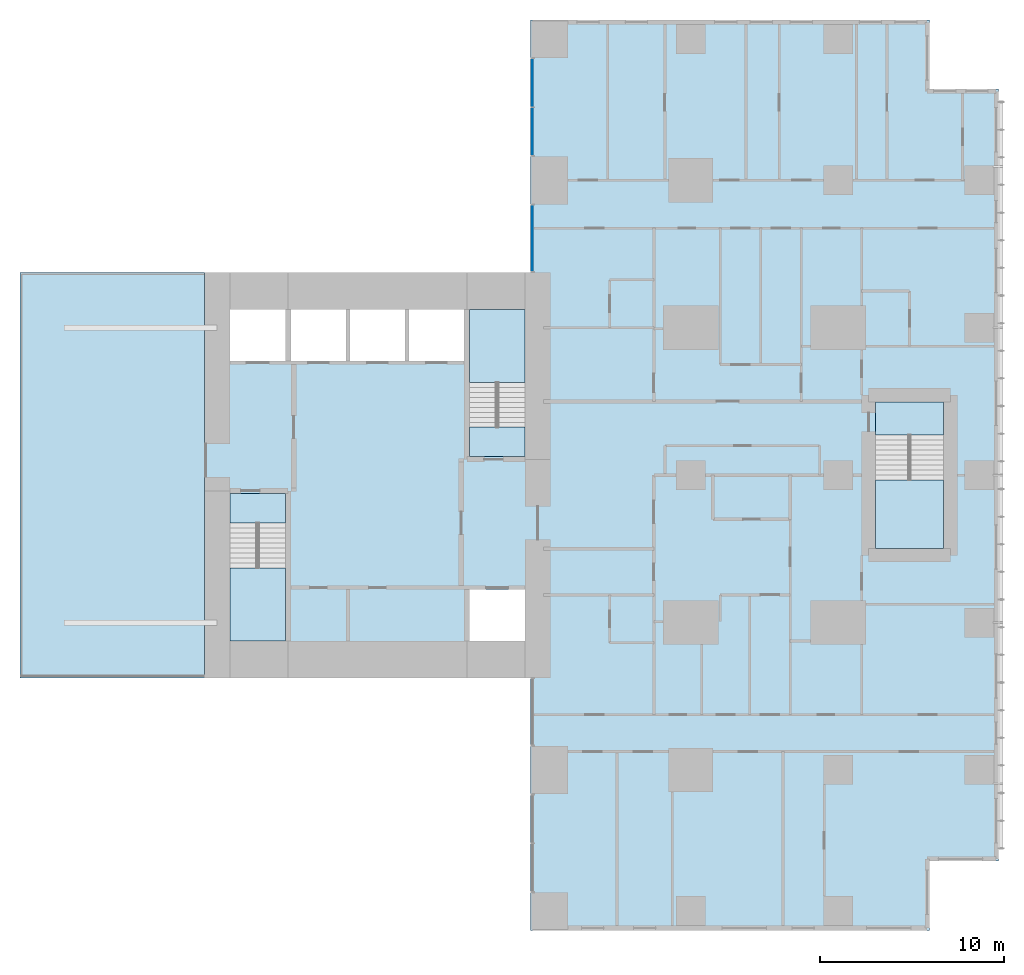
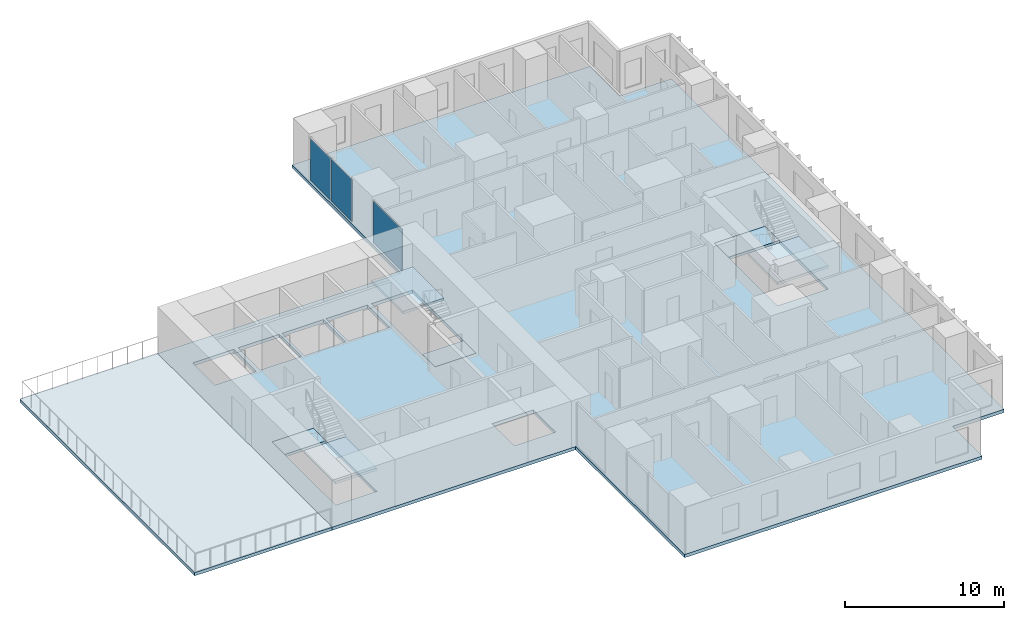
# One storey, part 6 of 14: 8 slabs, 3 plates, 5 elements without a shape of their own.
"""IFC4 building model written with IfcOpenShell, lengths in metres."""

from ifc_helpers import new_model, si_unit, direction, frame, origin, origin_2d, place, context, subcontext, project, spatial, polyline, rectangle, outline, extrude, material, layer, layer_set, type_object, element, aggregate, save


model = new_model("IFC4")

# Units and contexts
model_context = context("Model", 3, precision=1e-05, world=origin(), true_north=direction((0.0, 1.0)))
body_context = subcontext(model_context, "Body", "Model", "MODEL_VIEW")
ifc_project = project(units=[si_unit("LENGTHUNIT", "METRE"), si_unit("AREAUNIT", "SQUARE_METRE"), si_unit("VOLUMEUNIT", "CUBIC_METRE"), si_unit("PLANEANGLEUNIT", "RADIAN"), si_unit("MASSUNIT", "GRAM", prefix="KILO")], contexts=[model_context])

# Site, building, storey
site_placement = place(None, origin())
site = spatial("IfcSite", under=ifc_project, at=site_placement, CompositionType="ELEMENT")
building_placement = place(site_placement, origin())
building = spatial("IfcBuilding", under=site, at=building_placement, Name="Cleftline Residences", CompositionType="ELEMENT")
storey_placement = place(building_placement, frame((0.0, 0.0, 230.39990234375)))
storey = spatial("IfcBuildingStorey", under=building, at=storey_placement, Name="L60", CompositionType="ELEMENT", Elevation=230.39990234375)

# Curtain wall, plates
ifc_material_1 = material(Name="Aluminium framed curtain wall", Category="aluminium")
ifc_layer_1 = layer(ifc_material_1, 0.199951171875)
ifc_layer_set_1 = layer_set([ifc_layer_1], Name="CW1 CLEFT GLAZING")
curtain_wall_type = type_object("IfcCurtainWallType", Name="CW1 CLEFT GLAZING", PredefinedType="NOTDEFINED", material=ifc_layer_set_1)
curtain_wall_1_placement = place(storey_placement, origin())
curtain_wall_1 = element("IfcCurtainWall", 1, at=curtain_wall_1_placement, inside=storey, type_object=curtain_wall_type, Name="Curtain wall CW1", PredefinedType="NOTDEFINED")
ifc_material_2 = material(Name="Laminated clear glass", Category="glass")
ifc_layer_2 = layer(ifc_material_2, 0.028076171875)
ifc_layer_set_2 = layer_set([ifc_layer_2], Name="CW1 GLASS PANEL")
plate_type = type_object("IfcPlateType", Name="CW1 GLASS PANEL", PredefinedType="CURTAIN_PANEL", material=ifc_layer_set_2)
plate_1_placement = place(storey_placement, frame((41.425048828125, 45.297607421875, 0.06005859375), z_axis=(0.0, 0.0, 1.0), x_axis=(0.0, -1.0, 0.0)))
plate_1 = element("IfcPlate", 2, at=plate_1_placement, type_object=plate_type, Name="CW1 panel 1.1", PredefinedType="CURTAIN_PANEL", context=body_context, shape_type="SweptSolid", body=[
    extrude(rectangle(XDim=2.5849609375, YDim=0.028076171875, at=origin_2d()), origin(), (0.0, 0.0, 1.0), 3.22998046875),
])
plate_2_placement = place(storey_placement, frame((41.425048828125, 42.652587890625, 0.06005859375), z_axis=(0.0, 0.0, 1.0), x_axis=(0.0, -1.0, 0.0)))
plate_2 = element("IfcPlate", 3, at=plate_2_placement, type_object=plate_type, Name="CW1 panel 2.1", PredefinedType="CURTAIN_PANEL", context=body_context, shape_type="SweptSolid", body=[
    extrude(rectangle(XDim=2.5849609375, YDim=0.028076171875, at=origin_2d()), origin(), (0.0, 0.0, 1.0), 3.22998046875),
])
aggregate(curtain_wall_1, [plate_1, plate_2])

# Curtain wall, plate
curtain_wall_2_placement = place(storey_placement, origin())
curtain_wall_2 = element("IfcCurtainWall", 4, at=curtain_wall_2_placement, inside=storey, type_object=curtain_wall_type, Name="Curtain wall CW1", PredefinedType="NOTDEFINED")
plate_3_placement = place(storey_placement, frame((41.425048828125, 36.85009765625, 0.06005859375), z_axis=(0.0, 0.0, 1.0), x_axis=(0.0, -1.0, 0.0)))
plate_3 = element("IfcPlate", 5, at=plate_3_placement, type_object=plate_type, Name="CW1 panel 1.1", PredefinedType="CURTAIN_PANEL", context=body_context, shape_type="SweptSolid", body=[
    extrude(rectangle(XDim=3.580078125, YDim=0.028076171875, at=origin_2d()), origin(), (0.0, 0.0, 1.0), 3.22998046875),
])
aggregate(curtain_wall_2, [plate_3])

# Slab
ifc_material_3 = material(Name="Concrete B45", Category="concrete")
ifc_layer_3 = layer(ifc_material_3, 0.25)
ifc_layer_set_3 = layer_set([ifc_layer_3], Name="FLOOR SLAB 250")
slab_type_1 = type_object("IfcSlabType", Name="FLOOR SLAB 250", PredefinedType="FLOOR", material=ifc_layer_set_3)
slab_1_placement = place(storey_placement, frame((0.0, 0.0, -0.25)))
element("IfcSlab", 6, at=slab_1_placement, inside=storey, type_object=slab_type_1, Name="Floor slab L60", PredefinedType="FLOOR", context=body_context, shape_type="SweptSolid", body=[
    extrude(outline(polyline([(41.300048828125, 13.0), (41.300048828125, -0.699951171875), (62.949951171875, -0.699951171875), (62.949951171875, 3.050048828125), (66.699951171875, 3.050048828125), (66.699951171875, 44.949951171875), (62.949951171875, 44.949951171875), (62.949951171875, 48.699951171875), (41.300048828125, 48.699951171875), (41.300048828125, 35.0), (23.60009765625, 35.0), (23.60009765625, 13.0), (41.300048828125, 13.0)]), holes=[polyline([(28.0, 15.0), (28.0, 23.0), (25.0, 23.0), (25.0, 15.0), (28.0, 15.0)]), polyline([(41.0, 25.0), (41.0, 33.0), (38.0, 33.0), (38.0, 25.0), (41.0, 25.0)]), polyline([(28.0, 30.199951171875), (28.0, 33.0), (25.0, 33.0), (25.0, 30.199951171875), (28.0, 30.199951171875)]), polyline([(41.0, 15.0), (41.0, 17.800048828125), (38.0, 17.800048828125), (38.0, 15.0), (41.0, 15.0)]), polyline([(31.300048828125, 30.199951171875), (31.300048828125, 33.0), (28.300048828125, 33.0), (28.300048828125, 30.199951171875), (31.300048828125, 30.199951171875)]), polyline([(34.5, 30.199951171875), (34.5, 33.0), (31.5, 33.0), (31.5, 30.199951171875), (34.5, 30.199951171875)]), polyline([(37.699951171875, 30.199951171875), (37.699951171875, 33.0), (34.699951171875, 33.0), (34.699951171875, 30.199951171875), (37.699951171875, 30.199951171875)]), polyline([(63.72509765625, 20.02490234375), (63.72509765625, 27.97509765625), (60.02490234375, 27.97509765625), (60.02490234375, 20.02490234375), (63.72509765625, 20.02490234375)])]), origin(), (0.0, 0.0, 1.0), 0.25),
])

# Stair, slabs
ifc_material_4 = material(Name="Concrete B45, stone treads", Category="masonry")
stair_type_1 = type_object("IfcStairType", Name="STAIR A 1450 WIDE 180 RISER", PredefinedType="HALF_TURN_STAIR", material=ifc_material_4)
stair_1_placement = place(storey_placement, origin())
stair_1 = element("IfcStair", 7, at=stair_1_placement, inside=storey, type_object=stair_type_1, Name="Stair A L60", PredefinedType="HALF_TURN_STAIR")
ifc_material_5 = material(Name="Concrete B45", Category="concrete")
ifc_layer_4 = layer(ifc_material_5, 0.199951171875)
ifc_layer_set_4 = layer_set([ifc_layer_4], Name="STAIR LANDING 200")
slab_type_2 = type_object("IfcSlabType", Name="STAIR LANDING 200", PredefinedType="LANDING", material=ifc_layer_set_4)
slab_2_placement = place(storey_placement, frame((0.0, 0.0, -0.199951171875)))
slab_2 = element("IfcSlab", 8, at=slab_2_placement, type_object=slab_type_2, Name="ST-A landing 1", PredefinedType="LANDING", context=body_context, shape_type="SweptSolid", body=[
    extrude(outline(polyline([(25.0, 21.39990234375), (28.0, 21.39990234375), (28.0, 23.0), (25.0, 23.0), (25.0, 21.39990234375)])), origin(), (0.0, 0.0, 1.0), 0.199951171875),
])
slab_3_placement = place(storey_placement, frame((0.0, 0.0, 1.60009765625)))
slab_3 = element("IfcSlab", 9, at=slab_3_placement, type_object=slab_type_2, Name="ST-A landing 2", PredefinedType="LANDING", context=body_context, shape_type="SweptSolid", body=[
    extrude(outline(polyline([(25.0, 15.0), (28.0, 15.0), (28.0, 18.969970703125), (25.0, 18.969970703125), (25.0, 15.0)])), origin(), (0.0, 0.0, 1.0), 0.199951171875),
])
aggregate(stair_1, [slab_2, slab_3])

ifc_material_6 = material(Name="Concrete B45, stone treads", Category="masonry")
stair_type_2 = type_object("IfcStairType", Name="STAIR B 1450 WIDE 180 RISER", PredefinedType="HALF_TURN_STAIR", material=ifc_material_6)
stair_2_placement = place(storey_placement, origin())
stair_2 = element("IfcStair", 10, at=stair_2_placement, inside=storey, type_object=stair_type_2, Name="Stair B L60", PredefinedType="HALF_TURN_STAIR")
slab_4_placement = place(storey_placement, frame((0.0, 0.0, -0.199951171875)))
slab_4 = element("IfcSlab", 11, at=slab_4_placement, type_object=slab_type_2, Name="ST-B landing 1", PredefinedType="LANDING", context=body_context, shape_type="SweptSolid", body=[
    extrude(outline(polyline([(38.0, 25.0), (41.0, 25.0), (41.0, 26.60009765625), (38.0, 26.60009765625), (38.0, 25.0)])), origin(), (0.0, 0.0, 1.0), 0.199951171875),
])
slab_5_placement = place(storey_placement, frame((0.0, 0.0, 1.60009765625)))
slab_5 = element("IfcSlab", 12, at=slab_5_placement, type_object=slab_type_2, Name="ST-B landing 2", PredefinedType="LANDING", context=body_context, shape_type="SweptSolid", body=[
    extrude(outline(polyline([(38.0, 29.030029296875), (41.0, 29.030029296875), (41.0, 33.0), (38.0, 33.0), (38.0, 29.030029296875)])), origin(), (0.0, 0.0, 1.0), 0.199951171875),
])
aggregate(stair_2, [slab_4, slab_5])

ifc_material_7 = material(Name="Concrete B45, stone treads", Category="masonry")
stair_type_3 = type_object("IfcStairType", Name="STAIR E 1800 WIDE 180 RISER", PredefinedType="HALF_TURN_STAIR", material=ifc_material_7)
stair_3_placement = place(storey_placement, origin())
stair_3 = element("IfcStair", 13, at=stair_3_placement, inside=storey, type_object=stair_type_3, Name="Stair E L60", PredefinedType="HALF_TURN_STAIR")
slab_6_placement = place(storey_placement, frame((0.0, 0.0, -0.199951171875)))
slab_6 = element("IfcSlab", 14, at=slab_6_placement, type_object=slab_type_2, Name="ST-E landing 1", PredefinedType="LANDING", context=body_context, shape_type="SweptSolid", body=[
    extrude(outline(polyline([(60.02490234375, 26.175048828125), (63.72509765625, 26.175048828125), (63.72509765625, 27.97509765625), (60.02490234375, 27.97509765625), (60.02490234375, 26.175048828125)])), origin(), (0.0, 0.0, 1.0), 0.199951171875),
])
slab_7_placement = place(storey_placement, frame((0.0, 0.0, 1.60009765625)))
slab_7 = element("IfcSlab", 15, at=slab_7_placement, type_object=slab_type_2, Name="ST-E landing 2", PredefinedType="LANDING", context=body_context, shape_type="SweptSolid", body=[
    extrude(outline(polyline([(60.02490234375, 20.02490234375), (63.72509765625, 20.02490234375), (63.72509765625, 23.7451171875), (60.02490234375, 23.7451171875), (60.02490234375, 20.02490234375)])), origin(), (0.0, 0.0, 1.0), 0.199951171875),
])
aggregate(stair_3, [slab_6, slab_7])

# Slab
ifc_material_8 = material(Name="Concrete B45", Category="concrete")
ifc_layer_5 = layer(ifc_material_8, 0.25)
ifc_layer_set_5 = layer_set([ifc_layer_5], Name="TERRACE SLAB 250")
slab_type_3 = type_object("IfcSlabType", Name="TERRACE SLAB 250", PredefinedType="FLOOR", material=ifc_layer_set_5)
slab_8_placement = place(storey_placement, frame((0.0, 0.0, -0.25)))
element("IfcSlab", 16, at=slab_8_placement, inside=storey, type_object=slab_type_3, Name="Terrace slab L60 1", PredefinedType="FLOOR", context=body_context, shape_type="SweptSolid", body=[
    extrude(outline(polyline([(13.60009765625, 13.010009765625), (13.60009765625, 13.009033203125), (13.60009765625, 13.008056640625), (13.600341796875, 13.007080078125), (13.600830078125, 13.006103515625), (13.601318359375, 13.00537109375), (13.601806640625, 13.00439453125), (13.602294921875, 13.003662109375), (13.602783203125, 13.0029296875), (13.603759765625, 13.002197265625), (13.6044921875, 13.001708984375), (13.605224609375, 13.001220703125), (13.606201171875, 13.000732421875), (13.607177734375, 13.00048828125), (13.60791015625, 13.000244140625), (13.60888671875, 13.0), (13.610107421875, 13.0), (23.590087890625, 13.0), (23.591064453125, 13.0), (23.592041015625, 13.000244140625), (23.593017578125, 13.00048828125), (23.59375, 13.000732421875), (23.5947265625, 13.001220703125), (23.595703125, 13.001708984375), (23.59619140625, 13.002197265625), (23.59716796875, 13.0029296875), (23.59765625, 13.003662109375), (23.598388671875, 13.00439453125), (23.598876953125, 13.00537109375), (23.59912109375, 13.006103515625), (23.599609375, 13.007080078125), (23.599853515625, 13.008056640625), (23.60009765625, 13.009033203125), (23.60009765625, 13.010009765625), (23.60009765625, 34.989990234375), (23.60009765625, 34.990966796875), (23.599853515625, 34.991943359375), (23.599609375, 34.992919921875), (23.59912109375, 34.993896484375), (23.598876953125, 34.99462890625), (23.598388671875, 34.99560546875), (23.59765625, 34.996337890625), (23.59716796875, 34.9970703125), (23.59619140625, 34.997802734375), (23.595703125, 34.998291015625), (23.5947265625, 34.998779296875), (23.59375, 34.999267578125), (23.593017578125, 34.99951171875), (23.592041015625, 34.999755859375), (23.591064453125, 35.0), (23.590087890625, 35.0), (13.610107421875, 35.0), (13.60888671875, 35.0), (13.60791015625, 34.999755859375), (13.607177734375, 34.99951171875), (13.606201171875, 34.999267578125), (13.605224609375, 34.998779296875), (13.6044921875, 34.998291015625), (13.603759765625, 34.997802734375), (13.602783203125, 34.9970703125), (13.602294921875, 34.996337890625), (13.601806640625, 34.99560546875), (13.601318359375, 34.99462890625), (13.600830078125, 34.993896484375), (13.600341796875, 34.992919921875), (13.60009765625, 34.991943359375), (13.60009765625, 34.990966796875), (13.60009765625, 34.989990234375), (13.60009765625, 13.010009765625)])), origin(), (0.0, 0.0, 1.0), 0.25),
])

save(model, "model.ifc")
